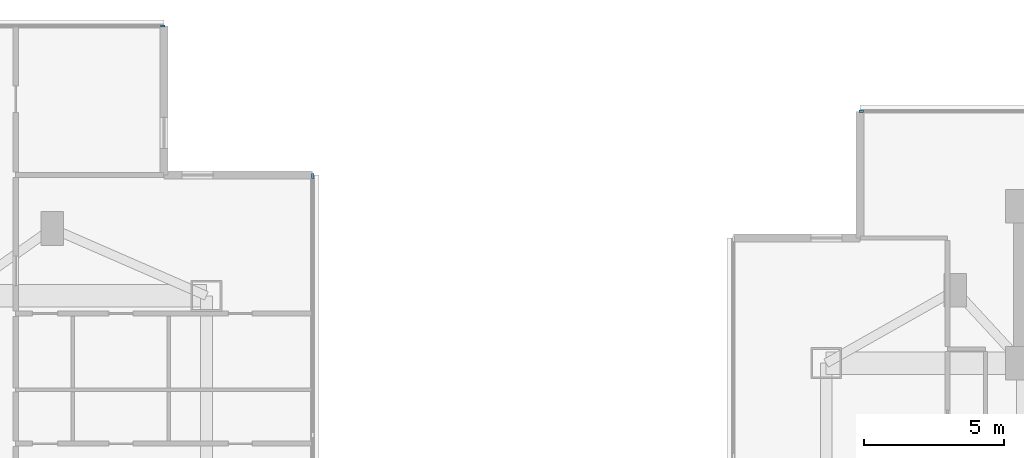
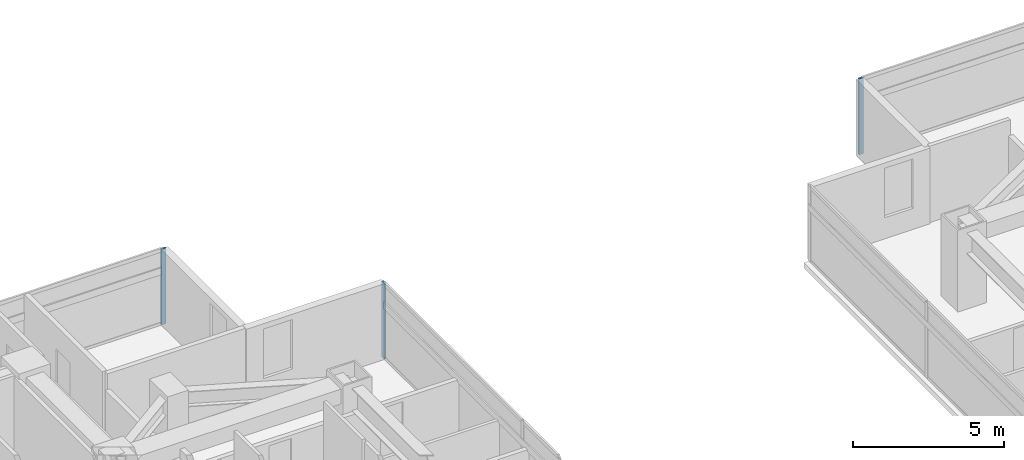
# One storey, part 8 of 25: 3 members, 3 elements without a shape of their own.
"""IFC4 building model written with IfcOpenShell, lengths in metres."""

from ifc_helpers import new_model, si_unit, direction, frame, origin, origin_2d, place, context, subcontext, project, spatial, rectangle, extrude, material, material_profile, profile_set, type_object, element, aggregate, save


model = new_model("IFC4")

# Units and contexts
model_context = context("Model", 3, precision=1e-05, world=origin(), true_north=direction((0.0, 1.0)))
body_context = subcontext(model_context, "Body", "Model", "MODEL_VIEW")
ifc_project = project(units=[si_unit("LENGTHUNIT", "METRE"), si_unit("AREAUNIT", "SQUARE_METRE"), si_unit("VOLUMEUNIT", "CUBIC_METRE"), si_unit("PLANEANGLEUNIT", "RADIAN"), si_unit("MASSUNIT", "GRAM", prefix="KILO")], contexts=[model_context])

# Site, building, storey
site_placement = place(None, origin())
site = spatial("IfcSite", under=ifc_project, at=site_placement, CompositionType="ELEMENT")
building_placement = place(site_placement, origin())
building = spatial("IfcBuilding", under=site, at=building_placement, Name="Mirazonda Arch Towers", CompositionType="ELEMENT")
storey_placement = place(building_placement, frame((0.0, 0.0, 111.5)))
storey = spatial("IfcBuildingStorey", under=building, at=storey_placement, Name="L31", CompositionType="ELEMENT", Elevation=111.5)

# Curtain wall, member
ifc_material_1 = material(Name="Anodised Aluminium and Low-E Glass", Category="aluminium")
curtain_wall_type = type_object("IfcCurtainWallType", Name="CW-HTL-UNIT", PredefinedType="NOTDEFINED", material=ifc_material_1)
curtain_wall_1_placement = place(storey_placement, origin())
curtain_wall_1 = element("IfcCurtainWall", 1, at=curtain_wall_1_placement, inside=storey, type_object=curtain_wall_type, Name="L31 T1 E Facade CW-L31-T1-E", PredefinedType="NOTDEFINED")
ifc_material_2 = material(Name="Anodised Aluminium Alloy", Category="aluminium")
ifc_material_profile = material_profile(ifc_material_2, rectangle(XDim=0.074951171875, YDim=0.1650390625, at=origin_2d()), Name="ALU-MULL-75x165")
ifc_profile_set = profile_set([ifc_material_profile], Name="Anodised Aluminium Alloy")
member_type = type_object("IfcMemberType", Name="MULL-CW-HTL-UNIT", PredefinedType="MULLION", material=ifc_profile_set)
member_1_placement = place(storey_placement, frame((42.68994140625, 41.87353515625, 0.0), z_axis=(0.0, 0.0, 1.0), x_axis=(-1.0, 0.0, 0.0)))
member_1 = element("IfcMember", 2, at=member_1_placement, type_object=member_type, Name="CW-112 mullion 4", PredefinedType="MULLION", context=body_context, shape_type="SweptSolid", body=[
    extrude(rectangle(XDim=0.074951171875, YDim=0.1650390625, at=origin_2d()), origin(), (0.0, 0.0, 1.0), 3.06005859375),
])
aggregate(curtain_wall_1, [member_1])

curtain_wall_2_placement = place(storey_placement, origin())
curtain_wall_2 = element("IfcCurtainWall", 3, at=curtain_wall_2_placement, inside=storey, type_object=curtain_wall_type, Name="L31 T1 N Facade CW-L31-T1-N", PredefinedType="NOTDEFINED")
member_2_placement = place(storey_placement, frame((37.347412109375, 47.216064453125, 0.0), z_axis=(0.0, 0.0, 1.0), x_axis=(0.0, 1.0, 0.0)))
member_2 = element("IfcMember", 4, at=member_2_placement, type_object=member_type, Name="CW-112 mullion 5", PredefinedType="MULLION", context=body_context, shape_type="SweptSolid", body=[
    extrude(rectangle(XDim=0.074951171875, YDim=0.1650390625, at=origin_2d()), origin(), (0.0, 0.0, 1.0), 3.06005859375),
])
aggregate(curtain_wall_2, [member_2])

curtain_wall_3_placement = place(storey_placement, origin())
curtain_wall_3 = element("IfcCurtainWall", 5, at=curtain_wall_3_placement, inside=storey, type_object=curtain_wall_type, Name="L31 T2 N Facade CW-L31-T2-N", PredefinedType="NOTDEFINED")
member_3_placement = place(storey_placement, frame((62.245361328125, 44.1806640625, 0.0), z_axis=(0.0, 0.0, 1.0), x_axis=(0.0, 1.0, 0.0)))
member_3 = element("IfcMember", 6, at=member_3_placement, type_object=member_type, Name="CW-112 mullion 1", PredefinedType="MULLION", context=body_context, shape_type="SweptSolid", body=[
    extrude(rectangle(XDim=0.074951171875, YDim=0.1650390625, at=origin_2d()), origin(), (0.0, 0.0, 1.0), 3.06005859375),
])
aggregate(curtain_wall_3, [member_3])

save(model, "model.ifc")
